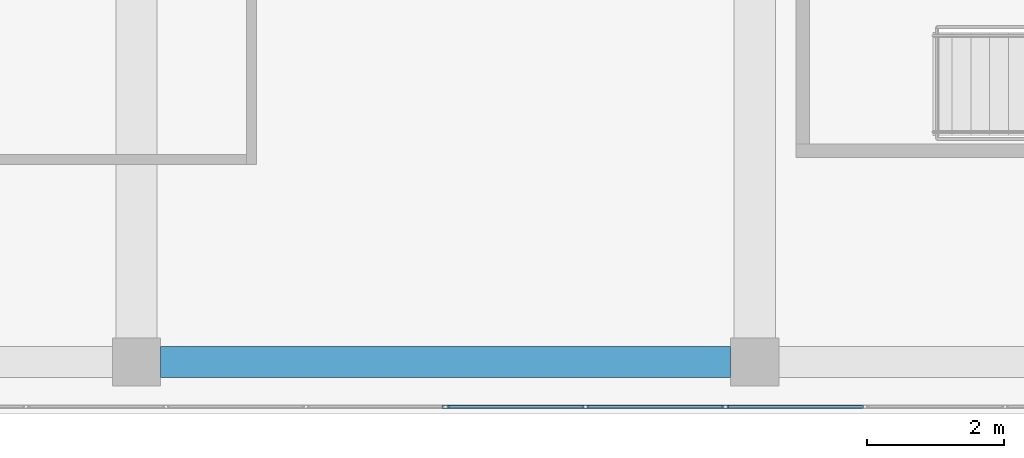
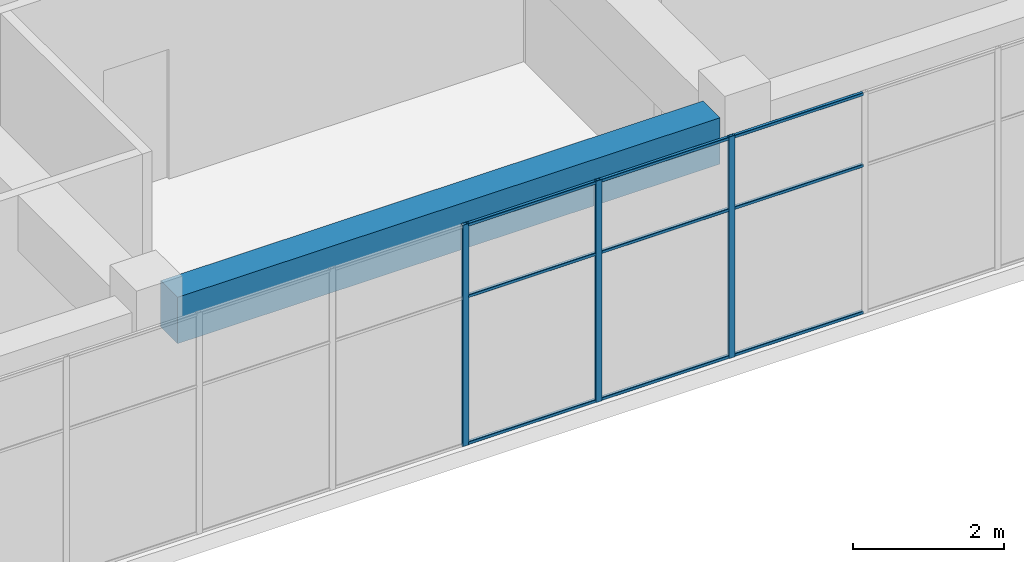
# One storey, part 6 of 32: 12 members, 1 beam, 1 element without a shape of its own.
"""IFC4 building model written with IfcOpenShell, lengths in metres."""

from ifc_helpers import new_model, si_unit, direction, frame, origin, origin_2d, place, context, subcontext, project, spatial, rectangle, hollow_rectangle, extrude, material, layer, layer_set, material_profile, profile_set, type_object, element, aggregate, save


model = new_model("IFC4")

# Units and contexts
model_context = context("Model", 3, precision=1e-05, world=origin(), true_north=direction((0.0, 1.0)))
body_context = subcontext(model_context, "Body", "Model", "MODEL_VIEW")
ifc_project = project(units=[si_unit("LENGTHUNIT", "METRE"), si_unit("AREAUNIT", "SQUARE_METRE"), si_unit("VOLUMEUNIT", "CUBIC_METRE"), si_unit("PLANEANGLEUNIT", "RADIAN"), si_unit("MASSUNIT", "GRAM", prefix="KILO")], contexts=[model_context])

# Site, building, storey
site_placement = place(None, origin())
site = spatial("IfcSite", under=ifc_project, at=site_placement, CompositionType="ELEMENT")
building_placement = place(site_placement, origin())
building = spatial("IfcBuilding", under=site, at=building_placement, Name="Tuart Plaza Theatre", CompositionType="ELEMENT")
storey_placement = place(building_placement, frame((0.0, 0.0, 37.5)))
storey = spatial("IfcBuildingStorey", under=building, at=storey_placement, Name="L09", CompositionType="ELEMENT", Elevation=37.5)

# Beam
ifc_material_1 = material(Name="Concrete N40 (40 MPa)", Category="concrete")
ifc_material_profile_1 = material_profile(ifc_material_1, rectangle(XDim=0.449951171875, YDim=0.75, at=origin_2d()), Name="BEAM 450x750 Concrete N40 (40 MPa)")
ifc_profile_set_1 = profile_set([ifc_material_profile_1], Name="Concrete N40 (40 MPa)")
beam_type = type_object("IfcBeamType", Name="BEAM 450x750 Concrete N40 (40 MPa)", PredefinedType="BEAM", material=ifc_profile_set_1)
beam_placement = place(storey_placement, frame((123.35009765625, 56.0, 3.205078125), z_axis=(1.0, 0.0, 0.0), x_axis=(0.0, 1.0, 0.0)))
element("IfcBeam", 1, at=beam_placement, inside=storey, type_object=beam_type, Name="RB265", PredefinedType="BEAM", context=body_context, shape_type="SweptSolid", body=[
    extrude(rectangle(XDim=0.449951171875, YDim=0.75, at=origin_2d()), origin(), (0.0, 0.0, 1.0), 8.2998046875),
])

# Curtain wall, members
ifc_material_2 = material(Name="Aluminium and glass", Category="aluminium")
ifc_layer = layer(ifc_material_2, 0.10009765625)
ifc_layer_set = layer_set([ifc_layer], Name="CURTAIN WALL 2000 module")
curtain_wall_type = type_object("IfcCurtainWallType", Name="CURTAIN WALL 2000 module", PredefinedType="NOTDEFINED", material=ifc_layer_set)
curtain_wall_placement = place(storey_placement, origin())
curtain_wall = element("IfcCurtainWall", 2, at=curtain_wall_placement, inside=storey, type_object=curtain_wall_type, Name="CW88", PredefinedType="NOTDEFINED")
ifc_material_3 = material(Name="Aluminium 6063-T5", Category="aluminium")
ifc_material_profile_2 = material_profile(ifc_material_3, hollow_rectangle(XDim=0.050048828125, YDim=0.10009765625, WallThickness=0.00390625, InnerFilletRadius=0.00390625, OuterFilletRadius=0.008056640625, at=origin_2d()), Name="RHS 100x50x4")
ifc_profile_set_2 = profile_set([ifc_material_profile_2], Name="Aluminium 6063-T5")
member_type_1 = type_object("IfcMemberType", Name="MULLION RHS 100x50x4", PredefinedType="MULLION", material=ifc_profile_set_2)
member_1_placement = place(storey_placement, frame((127.5, 55.35009765625, 0.0), z_axis=(0.0, 0.0, 1.0), x_axis=(0.0, 1.0, 0.0)))
member_1 = element("IfcMember", 3, at=member_1_placement, type_object=member_type_1, Name="CW88 mullion 8", PredefinedType="MULLION", context=body_context, shape_type="SweptSolid", body=[
    extrude(hollow_rectangle(XDim=0.050048828125, YDim=0.10009765625, WallThickness=0.00390625, InnerFilletRadius=0.00390625, OuterFilletRadius=0.008056640625, at=origin_2d()), origin(), (0.0, 0.0, 1.0), 3.580078125),
])
member_2_placement = place(storey_placement, frame((129.53564453125, 55.35009765625, 0.0), z_axis=(0.0, 0.0, 1.0), x_axis=(0.0, 1.0, 0.0)))
member_2 = element("IfcMember", 4, at=member_2_placement, type_object=member_type_1, Name="CW88 mullion 9", PredefinedType="MULLION", context=body_context, shape_type="SweptSolid", body=[
    extrude(hollow_rectangle(XDim=0.050048828125, YDim=0.10009765625, WallThickness=0.00390625, InnerFilletRadius=0.00390625, OuterFilletRadius=0.008056640625, at=origin_2d()), origin(), (0.0, 0.0, 1.0), 3.580078125),
])
member_3_placement = place(storey_placement, frame((131.571533203125, 55.35009765625, 0.0), z_axis=(0.0, 0.0, 1.0), x_axis=(0.0, 1.0, 0.0)))
member_3 = element("IfcMember", 5, at=member_3_placement, type_object=member_type_1, Name="CW88 mullion 10", PredefinedType="MULLION", context=body_context, shape_type="SweptSolid", body=[
    extrude(hollow_rectangle(XDim=0.050048828125, YDim=0.10009765625, WallThickness=0.00390625, InnerFilletRadius=0.00390625, OuterFilletRadius=0.008056640625, at=origin_2d()), origin(), (0.0, 0.0, 1.0), 3.580078125),
])
ifc_material_4 = material(Name="Aluminium 6063-T5", Category="aluminium")
ifc_material_profile_3 = material_profile(ifc_material_4, hollow_rectangle(XDim=0.050048828125, YDim=0.050048828125, WallThickness=0.00390625, InnerFilletRadius=0.00390625, OuterFilletRadius=0.008056640625, at=origin_2d()), Name="RHS 50x50x4")
ifc_profile_set_3 = profile_set([ifc_material_profile_3], Name="Aluminium 6063-T5")
member_type_2 = type_object("IfcMemberType", Name="TRANSOM RHS 50x50x4", PredefinedType="USERDEFINED", material=ifc_profile_set_3)
member_4_placement = place(storey_placement, frame((127.52490234375, 55.35009765625, 0.02490234375), z_axis=(1.0, 0.0, 0.0), x_axis=(0.0, 1.0, 0.0)))
member_4 = element("IfcMember", 6, at=member_4_placement, type_object=member_type_2, Name="CW88 transom 8.1", ObjectType="TRANSOM", PredefinedType="USERDEFINED", context=body_context, shape_type="SweptSolid", body=[
    extrude(hollow_rectangle(XDim=0.050048828125, YDim=0.050048828125, WallThickness=0.00390625, InnerFilletRadius=0.00390625, OuterFilletRadius=0.008056640625, at=origin_2d()), origin(), (0.0, 0.0, 1.0), 1.98583984375),
])
member_5_placement = place(storey_placement, frame((127.52490234375, 55.35009765625, 2.39990234375), z_axis=(1.0, 0.0, 0.0), x_axis=(0.0, 1.0, 0.0)))
member_5 = element("IfcMember", 7, at=member_5_placement, type_object=member_type_2, Name="CW88 transom 8.2", ObjectType="TRANSOM", PredefinedType="USERDEFINED", context=body_context, shape_type="SweptSolid", body=[
    extrude(hollow_rectangle(XDim=0.050048828125, YDim=0.050048828125, WallThickness=0.00390625, InnerFilletRadius=0.00390625, OuterFilletRadius=0.008056640625, at=origin_2d()), origin(), (0.0, 0.0, 1.0), 1.98583984375),
])
member_6_placement = place(storey_placement, frame((127.52490234375, 55.35009765625, 3.554931640625), z_axis=(1.0, 0.0, 0.0), x_axis=(0.0, 1.0, 0.0)))
member_6 = element("IfcMember", 8, at=member_6_placement, type_object=member_type_2, Name="CW88 transom 8.3", ObjectType="TRANSOM", PredefinedType="USERDEFINED", context=body_context, shape_type="SweptSolid", body=[
    extrude(hollow_rectangle(XDim=0.050048828125, YDim=0.050048828125, WallThickness=0.00390625, InnerFilletRadius=0.00390625, OuterFilletRadius=0.008056640625, at=origin_2d()), origin(), (0.0, 0.0, 1.0), 1.98583984375),
])
member_7_placement = place(storey_placement, frame((129.560791015625, 55.35009765625, 0.02490234375), z_axis=(1.0, 0.0, 0.0), x_axis=(0.0, 1.0, 0.0)))
member_7 = element("IfcMember", 9, at=member_7_placement, type_object=member_type_2, Name="CW88 transom 9.1", ObjectType="TRANSOM", PredefinedType="USERDEFINED", context=body_context, shape_type="SweptSolid", body=[
    extrude(hollow_rectangle(XDim=0.050048828125, YDim=0.050048828125, WallThickness=0.00390625, InnerFilletRadius=0.00390625, OuterFilletRadius=0.008056640625, at=origin_2d()), origin(), (0.0, 0.0, 1.0), 1.985595703125),
])
member_8_placement = place(storey_placement, frame((129.560791015625, 55.35009765625, 2.39990234375), z_axis=(1.0, 0.0, 0.0), x_axis=(0.0, 1.0, 0.0)))
member_8 = element("IfcMember", 10, at=member_8_placement, type_object=member_type_2, Name="CW88 transom 9.2", ObjectType="TRANSOM", PredefinedType="USERDEFINED", context=body_context, shape_type="SweptSolid", body=[
    extrude(hollow_rectangle(XDim=0.050048828125, YDim=0.050048828125, WallThickness=0.00390625, InnerFilletRadius=0.00390625, OuterFilletRadius=0.008056640625, at=origin_2d()), origin(), (0.0, 0.0, 1.0), 1.985595703125),
])
member_9_placement = place(storey_placement, frame((129.560791015625, 55.35009765625, 3.554931640625), z_axis=(1.0, 0.0, 0.0), x_axis=(0.0, 1.0, 0.0)))
member_9 = element("IfcMember", 11, at=member_9_placement, type_object=member_type_2, Name="CW88 transom 9.3", ObjectType="TRANSOM", PredefinedType="USERDEFINED", context=body_context, shape_type="SweptSolid", body=[
    extrude(hollow_rectangle(XDim=0.050048828125, YDim=0.050048828125, WallThickness=0.00390625, InnerFilletRadius=0.00390625, OuterFilletRadius=0.008056640625, at=origin_2d()), origin(), (0.0, 0.0, 1.0), 1.985595703125),
])
member_10_placement = place(storey_placement, frame((131.596435546875, 55.35009765625, 0.02490234375), z_axis=(1.0, 0.0, 0.0), x_axis=(0.0, 1.0, 0.0)))
member_10 = element("IfcMember", 12, at=member_10_placement, type_object=member_type_2, Name="CW88 transom 10.1", ObjectType="TRANSOM", PredefinedType="USERDEFINED", context=body_context, shape_type="SweptSolid", body=[
    extrude(hollow_rectangle(XDim=0.050048828125, YDim=0.050048828125, WallThickness=0.00390625, InnerFilletRadius=0.00390625, OuterFilletRadius=0.008056640625, at=origin_2d()), origin(), (0.0, 0.0, 1.0), 1.985595703125),
])
member_11_placement = place(storey_placement, frame((131.596435546875, 55.35009765625, 2.39990234375), z_axis=(1.0, 0.0, 0.0), x_axis=(0.0, 1.0, 0.0)))
member_11 = element("IfcMember", 13, at=member_11_placement, type_object=member_type_2, Name="CW88 transom 10.2", ObjectType="TRANSOM", PredefinedType="USERDEFINED", context=body_context, shape_type="SweptSolid", body=[
    extrude(hollow_rectangle(XDim=0.050048828125, YDim=0.050048828125, WallThickness=0.00390625, InnerFilletRadius=0.00390625, OuterFilletRadius=0.008056640625, at=origin_2d()), origin(), (0.0, 0.0, 1.0), 1.985595703125),
])
member_12_placement = place(storey_placement, frame((131.596435546875, 55.35009765625, 3.554931640625), z_axis=(1.0, 0.0, 0.0), x_axis=(0.0, 1.0, 0.0)))
member_12 = element("IfcMember", 14, at=member_12_placement, type_object=member_type_2, Name="CW88 transom 10.3", ObjectType="TRANSOM", PredefinedType="USERDEFINED", context=body_context, shape_type="SweptSolid", body=[
    extrude(hollow_rectangle(XDim=0.050048828125, YDim=0.050048828125, WallThickness=0.00390625, InnerFilletRadius=0.00390625, OuterFilletRadius=0.008056640625, at=origin_2d()), origin(), (0.0, 0.0, 1.0), 1.985595703125),
])
aggregate(curtain_wall, [member_1, member_2, member_3, member_4, member_5, member_6, member_7, member_8, member_9, member_10, member_11, member_12])

save(model, "model.ifc")
